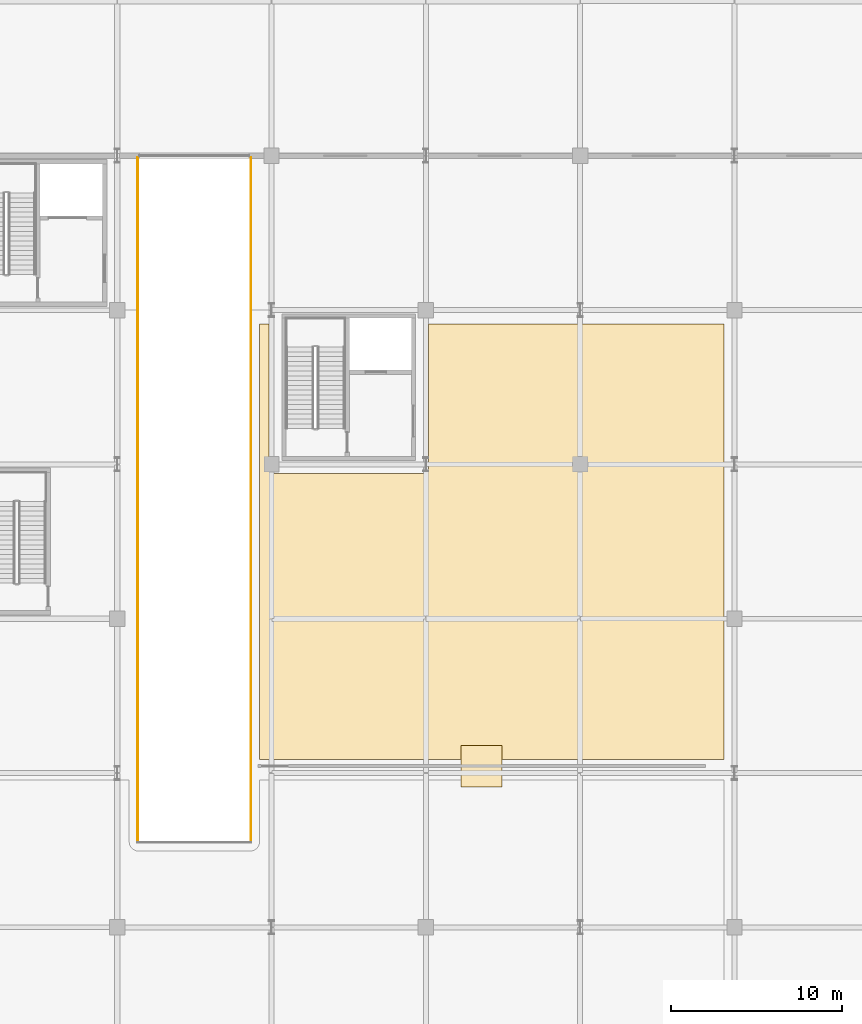
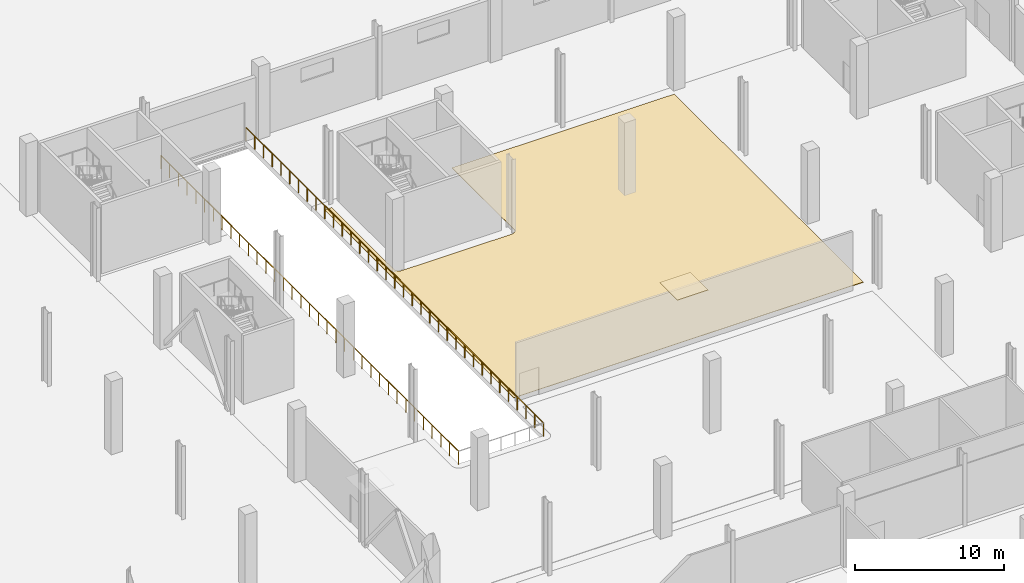
# One storey, part 53 of 58: 2 coverings, 2 railings.
"""IFC4 building model written with IfcOpenShell, lengths in metres."""

from ifc_helpers import new_model, si_unit, direction, frame, origin, origin_2d, place, context, subcontext, project, spatial, polyline, circle, outline, extrude, material, layer, layer_set, type_object, element, save


model = new_model("IFC4")

# Units and contexts
model_context = context("Model", 3, precision=1e-05, world=origin(), true_north=direction((0.0, 1.0)))
body_context = subcontext(model_context, "Body", "Model", "MODEL_VIEW")
ifc_project = project(units=[si_unit("LENGTHUNIT", "METRE"), si_unit("AREAUNIT", "SQUARE_METRE"), si_unit("VOLUMEUNIT", "CUBIC_METRE"), si_unit("PLANEANGLEUNIT", "RADIAN"), si_unit("MASSUNIT", "GRAM", prefix="KILO")], contexts=[model_context])

# Site, building, storey
site_placement = place(None, origin())
site = spatial("IfcSite", under=ifc_project, at=site_placement, CompositionType="ELEMENT")
building_placement = place(site_placement, origin())
building = spatial("IfcBuilding", under=site, at=building_placement, Name="Barlavento Convention Centre", CompositionType="ELEMENT")
storey_placement = place(building_placement, origin())
storey = spatial("IfcBuildingStorey", under=building, at=storey_placement, Name="L00", CompositionType="ELEMENT", Elevation=0.0)

# Coverings
ifc_material_1 = material(Name="Perforated mineral-fibre acoustic board")
ifc_layer_1 = layer(ifc_material_1, 0.0400390625)
ifc_layer_set_1 = layer_set([ifc_layer_1], Name="ARC-COV-CEIL-ACOU")
covering_type_1 = type_object("IfcCoveringType", Name="ARC-COV-CEIL-ACOU", PredefinedType="CEILING", material=ifc_layer_set_1)
covering_1_placement = place(storey_placement, frame((0.0, 0.0, 4.85009765625)))
element("IfcCovering", 1, at=covering_1_placement, inside=storey, type_object=covering_type_1, Name="L00 acoustic ceiling panel", PredefinedType="CEILING", context=body_context, shape_type="SweptSolid", body=[
    extrude(outline(polyline([(155.050048828125, 71.199951171875), (157.449951171875, 71.199951171875), (157.449951171875, 73.60009765625), (155.050048828125, 73.60009765625), (155.050048828125, 71.199951171875)])), origin(), (0.0, 0.0, 1.0), 0.039794921875),
])
ifc_material_2 = material(Name="Honed granite concourse stone flooring", Category="masonry")
ifc_layer_2 = layer(ifc_material_2, 0.030029296875)
ifc_layer_set_2 = layer_set([ifc_layer_2], Name="ARC-COV-FLR-STONE")
covering_type_2 = type_object("IfcCoveringType", Name="ARC-COV-FLR-STONE", PredefinedType="FLOORING", material=ifc_layer_set_2)
covering_2_placement = place(storey_placement, origin())
element("IfcCovering", 2, at=covering_2_placement, inside=storey, type_object=covering_type_2, Name="L00 honed stone floor finish", PredefinedType="FLOORING", context=body_context, shape_type="SweptSolid", body=[
    extrude(outline(polyline([(143.300048828125, 72.800048828125), (143.300048828125, 98.199951171875), (143.840087890625, 98.199951171875), (143.840087890625, 89.860107421875), (143.842041015625, 89.821044921875), (143.847900390625, 89.781982421875), (143.85693359375, 89.743896484375), (143.8701171875, 89.70703125), (143.886962890625, 89.6708984375), (143.906982421875, 89.637939453125), (143.930908203125, 89.60595703125), (143.95703125, 89.576904296875), (143.986083984375, 89.551025390625), (144.01806640625, 89.527099609375), (144.051025390625, 89.507080078125), (144.0869140625, 89.489990234375), (144.1240234375, 89.47705078125), (144.162109375, 89.468017578125), (144.200927734375, 89.4619140625), (144.239990234375, 89.4599609375), (152.760009765625, 89.4599609375), (152.799072265625, 89.4619140625), (152.837890625, 89.468017578125), (152.8759765625, 89.47705078125), (152.9130859375, 89.489990234375), (152.948974609375, 89.507080078125), (152.98193359375, 89.527099609375), (153.013916015625, 89.551025390625), (153.04296875, 89.576904296875), (153.069091796875, 89.60595703125), (153.093017578125, 89.637939453125), (153.113037109375, 89.6708984375), (153.1298828125, 89.70703125), (153.14306640625, 89.743896484375), (153.152099609375, 89.781982421875), (153.157958984375, 89.821044921875), (153.159912109375, 89.860107421875), (153.159912109375, 98.199951171875), (170.39990234375, 98.199951171875), (170.39990234375, 72.800048828125), (143.300048828125, 72.800048828125)])), origin(), (0.0, 0.0, 1.0), 0.030029296875),
])

# Railings
ifc_material_3 = material(Name="Stainless steel and laminated glass balustrade", Category="steel")
railing_type = type_object("IfcRailingType", Name="ARC-RAL-BAL-1100", PredefinedType="BALUSTRADE", material=ifc_material_3)
railing_1_placement = place(storey_placement, frame((136.199951171875, 107.89990234375, 0.0)))
element("IfcRailing", 3, at=railing_1_placement, inside=storey, type_object=railing_type, Name="L00 interior atrium or gallery balustrade GR01", PredefinedType="BALUSTRADE", context=body_context, shape_type="SweptSolid", body=[
    extrude(circle(Radius=0.02392578125, at=origin_2d()), frame((0.0, 0.0, 1.076171875), z_axis=(0.0, -1.0, 0.0), x_axis=(1.0, 0.0, 0.0)), (0.0, 0.0, 1.0), 39.949951171875),
    extrude(circle(Radius=0.02099609375, at=origin_2d()), origin(), (0.0, 0.0, 1.0), 1.052001953125),
    extrude(circle(Radius=0.02099609375, at=origin_2d()), frame((0.0, -1.175048828125, 0.0)), (0.0, 0.0, 1.0), 1.052001953125),
    extrude(circle(Radius=0.02099609375, at=origin_2d()), frame((0.0, -2.35009765625, 0.0)), (0.0, 0.0, 1.0), 1.052001953125),
    extrude(circle(Radius=0.02099609375, at=origin_2d()), frame((0.0, -3.52490234375, 0.0)), (0.0, 0.0, 1.0), 1.052001953125),
    extrude(circle(Radius=0.02099609375, at=origin_2d()), frame((0.0, -4.699951171875, 0.0)), (0.0, 0.0, 1.0), 1.052001953125),
    extrude(circle(Radius=0.02099609375, at=origin_2d()), frame((0.0, -5.875, 0.0)), (0.0, 0.0, 1.0), 1.052001953125),
    extrude(circle(Radius=0.02099609375, at=origin_2d()), frame((0.0, -7.050048828125, 0.0)), (0.0, 0.0, 1.0), 1.052001953125),
    extrude(circle(Radius=0.02099609375, at=origin_2d()), frame((0.0, -8.22509765625, 0.0)), (0.0, 0.0, 1.0), 1.052001953125),
    extrude(circle(Radius=0.02099609375, at=origin_2d()), frame((0.0, -9.39990234375, 0.0)), (0.0, 0.0, 1.0), 1.052001953125),
    extrude(circle(Radius=0.02099609375, at=origin_2d()), frame((0.0, -10.574951171875, 0.0)), (0.0, 0.0, 1.0), 1.052001953125),
    extrude(circle(Radius=0.02099609375, at=origin_2d()), frame((0.0, -11.75, 0.0)), (0.0, 0.0, 1.0), 1.052001953125),
    extrude(circle(Radius=0.02099609375, at=origin_2d()), frame((0.0, -12.925048828125, 0.0)), (0.0, 0.0, 1.0), 1.052001953125),
    extrude(circle(Radius=0.02099609375, at=origin_2d()), frame((0.0, -14.10009765625, 0.0)), (0.0, 0.0, 1.0), 1.052001953125),
    extrude(circle(Radius=0.02099609375, at=origin_2d()), frame((0.0, -15.27490234375, 0.0)), (0.0, 0.0, 1.0), 1.052001953125),
    extrude(circle(Radius=0.02099609375, at=origin_2d()), frame((0.0, -16.449951171875, 0.0)), (0.0, 0.0, 1.0), 1.052001953125),
    extrude(circle(Radius=0.02099609375, at=origin_2d()), frame((0.0, -17.625, 0.0)), (0.0, 0.0, 1.0), 1.052001953125),
    extrude(circle(Radius=0.02099609375, at=origin_2d()), frame((0.0, -18.800048828125, 0.0)), (0.0, 0.0, 1.0), 1.052001953125),
    extrude(circle(Radius=0.02099609375, at=origin_2d()), frame((0.0, -19.97509765625, 0.0)), (0.0, 0.0, 1.0), 1.052001953125),
    extrude(circle(Radius=0.02099609375, at=origin_2d()), frame((0.0, -21.14990234375, 0.0)), (0.0, 0.0, 1.0), 1.052001953125),
    extrude(circle(Radius=0.02099609375, at=origin_2d()), frame((0.0, -22.324951171875, 0.0)), (0.0, 0.0, 1.0), 1.052001953125),
    extrude(circle(Radius=0.02099609375, at=origin_2d()), frame((0.0, -23.5, 0.0)), (0.0, 0.0, 1.0), 1.052001953125),
    extrude(circle(Radius=0.02099609375, at=origin_2d()), frame((0.0, -24.675048828125, 0.0)), (0.0, 0.0, 1.0), 1.052001953125),
    extrude(circle(Radius=0.02099609375, at=origin_2d()), frame((0.0, -25.849853515625, 0.0)), (0.0, 0.0, 1.0), 1.052001953125),
    extrude(circle(Radius=0.02099609375, at=origin_2d()), frame((0.0, -27.02490234375, 0.0)), (0.0, 0.0, 1.0), 1.052001953125),
    extrude(circle(Radius=0.02099609375, at=origin_2d()), frame((0.0, -28.199951171875, 0.0)), (0.0, 0.0, 1.0), 1.052001953125),
    extrude(circle(Radius=0.02099609375, at=origin_2d()), frame((0.0, -29.375, 0.0)), (0.0, 0.0, 1.0), 1.052001953125),
    extrude(circle(Radius=0.02099609375, at=origin_2d()), frame((0.0, -30.550048828125, 0.0)), (0.0, 0.0, 1.0), 1.052001953125),
    extrude(circle(Radius=0.02099609375, at=origin_2d()), frame((0.0, -31.724853515625, 0.0)), (0.0, 0.0, 1.0), 1.052001953125),
    extrude(circle(Radius=0.02099609375, at=origin_2d()), frame((0.0, -32.89990234375, 0.0)), (0.0, 0.0, 1.0), 1.052001953125),
    extrude(circle(Radius=0.02099609375, at=origin_2d()), frame((0.0, -34.074951171875, 0.0)), (0.0, 0.0, 1.0), 1.052001953125),
    extrude(circle(Radius=0.02099609375, at=origin_2d()), frame((0.0, -35.25, 0.0)), (0.0, 0.0, 1.0), 1.052001953125),
    extrude(circle(Radius=0.02099609375, at=origin_2d()), frame((0.0, -36.425048828125, 0.0)), (0.0, 0.0, 1.0), 1.052001953125),
    extrude(circle(Radius=0.02099609375, at=origin_2d()), frame((0.0, -37.599853515625, 0.0)), (0.0, 0.0, 1.0), 1.052001953125),
    extrude(circle(Radius=0.02099609375, at=origin_2d()), frame((0.0, -38.77490234375, 0.0)), (0.0, 0.0, 1.0), 1.052001953125),
    extrude(circle(Radius=0.02099609375, at=origin_2d()), frame((0.0, -39.949951171875, 0.0)), (0.0, 0.0, 1.0), 1.052001953125),
])
railing_2_placement = place(storey_placement, frame((142.800048828125, 67.949951171875, 0.0)))
element("IfcRailing", 4, at=railing_2_placement, inside=storey, type_object=railing_type, Name="L00 interior atrium or gallery balustrade GR01", PredefinedType="BALUSTRADE", context=body_context, shape_type="SweptSolid", body=[
    extrude(circle(Radius=0.02392578125, at=origin_2d()), frame((0.0, 0.0, 1.076171875), z_axis=(0.0, 1.0, 0.0), x_axis=(-1.0, 0.0, 0.0)), (0.0, 0.0, 1.0), 39.949951171875),
    extrude(circle(Radius=0.02099609375, at=origin_2d()), origin(), (0.0, 0.0, 1.0), 1.052001953125),
    extrude(circle(Radius=0.02099609375, at=origin_2d()), frame((0.0, 1.175048828125, 0.0)), (0.0, 0.0, 1.0), 1.052001953125),
    extrude(circle(Radius=0.02099609375, at=origin_2d()), frame((0.0, 2.35009765625, 0.0)), (0.0, 0.0, 1.0), 1.052001953125),
    extrude(circle(Radius=0.02099609375, at=origin_2d()), frame((0.0, 3.52490234375, 0.0)), (0.0, 0.0, 1.0), 1.052001953125),
    extrude(circle(Radius=0.02099609375, at=origin_2d()), frame((0.0, 4.699951171875, 0.0)), (0.0, 0.0, 1.0), 1.052001953125),
    extrude(circle(Radius=0.02099609375, at=origin_2d()), frame((0.0, 5.875, 0.0)), (0.0, 0.0, 1.0), 1.052001953125),
    extrude(circle(Radius=0.02099609375, at=origin_2d()), frame((0.0, 7.050048828125, 0.0)), (0.0, 0.0, 1.0), 1.052001953125),
    extrude(circle(Radius=0.02099609375, at=origin_2d()), frame((0.0, 8.22509765625, 0.0)), (0.0, 0.0, 1.0), 1.052001953125),
    extrude(circle(Radius=0.02099609375, at=origin_2d()), frame((0.0, 9.39990234375, 0.0)), (0.0, 0.0, 1.0), 1.052001953125),
    extrude(circle(Radius=0.02099609375, at=origin_2d()), frame((0.0, 10.574951171875, 0.0)), (0.0, 0.0, 1.0), 1.052001953125),
    extrude(circle(Radius=0.02099609375, at=origin_2d()), frame((0.0, 11.75, 0.0)), (0.0, 0.0, 1.0), 1.052001953125),
    extrude(circle(Radius=0.02099609375, at=origin_2d()), frame((0.0, 12.925048828125, 0.0)), (0.0, 0.0, 1.0), 1.052001953125),
    extrude(circle(Radius=0.02099609375, at=origin_2d()), frame((0.0, 14.10009765625, 0.0)), (0.0, 0.0, 1.0), 1.052001953125),
    extrude(circle(Radius=0.02099609375, at=origin_2d()), frame((0.0, 15.27490234375, 0.0)), (0.0, 0.0, 1.0), 1.052001953125),
    extrude(circle(Radius=0.02099609375, at=origin_2d()), frame((0.0, 16.449951171875, 0.0)), (0.0, 0.0, 1.0), 1.052001953125),
    extrude(circle(Radius=0.02099609375, at=origin_2d()), frame((0.0, 17.625, 0.0)), (0.0, 0.0, 1.0), 1.052001953125),
    extrude(circle(Radius=0.02099609375, at=origin_2d()), frame((0.0, 18.800048828125, 0.0)), (0.0, 0.0, 1.0), 1.052001953125),
    extrude(circle(Radius=0.02099609375, at=origin_2d()), frame((0.0, 19.97509765625, 0.0)), (0.0, 0.0, 1.0), 1.052001953125),
    extrude(circle(Radius=0.02099609375, at=origin_2d()), frame((0.0, 21.14990234375, 0.0)), (0.0, 0.0, 1.0), 1.052001953125),
    extrude(circle(Radius=0.02099609375, at=origin_2d()), frame((0.0, 22.324951171875, 0.0)), (0.0, 0.0, 1.0), 1.052001953125),
    extrude(circle(Radius=0.02099609375, at=origin_2d()), frame((0.0, 23.5, 0.0)), (0.0, 0.0, 1.0), 1.052001953125),
    extrude(circle(Radius=0.02099609375, at=origin_2d()), frame((0.0, 24.675048828125, 0.0)), (0.0, 0.0, 1.0), 1.052001953125),
    extrude(circle(Radius=0.02099609375, at=origin_2d()), frame((0.0, 25.849853515625, 0.0)), (0.0, 0.0, 1.0), 1.052001953125),
    extrude(circle(Radius=0.02099609375, at=origin_2d()), frame((0.0, 27.02490234375, 0.0)), (0.0, 0.0, 1.0), 1.052001953125),
    extrude(circle(Radius=0.02099609375, at=origin_2d()), frame((0.0, 28.199951171875, 0.0)), (0.0, 0.0, 1.0), 1.052001953125),
    extrude(circle(Radius=0.02099609375, at=origin_2d()), frame((0.0, 29.375, 0.0)), (0.0, 0.0, 1.0), 1.052001953125),
    extrude(circle(Radius=0.02099609375, at=origin_2d()), frame((0.0, 30.550048828125, 0.0)), (0.0, 0.0, 1.0), 1.052001953125),
    extrude(circle(Radius=0.02099609375, at=origin_2d()), frame((0.0, 31.724853515625, 0.0)), (0.0, 0.0, 1.0), 1.052001953125),
    extrude(circle(Radius=0.02099609375, at=origin_2d()), frame((0.0, 32.89990234375, 0.0)), (0.0, 0.0, 1.0), 1.052001953125),
    extrude(circle(Radius=0.02099609375, at=origin_2d()), frame((0.0, 34.074951171875, 0.0)), (0.0, 0.0, 1.0), 1.052001953125),
    extrude(circle(Radius=0.02099609375, at=origin_2d()), frame((0.0, 35.25, 0.0)), (0.0, 0.0, 1.0), 1.052001953125),
    extrude(circle(Radius=0.02099609375, at=origin_2d()), frame((0.0, 36.425048828125, 0.0)), (0.0, 0.0, 1.0), 1.052001953125),
    extrude(circle(Radius=0.02099609375, at=origin_2d()), frame((0.0, 37.599853515625, 0.0)), (0.0, 0.0, 1.0), 1.052001953125),
    extrude(circle(Radius=0.02099609375, at=origin_2d()), frame((0.0, 38.77490234375, 0.0)), (0.0, 0.0, 1.0), 1.052001953125),
    extrude(circle(Radius=0.02099609375, at=origin_2d()), frame((0.0, 39.949951171875, 0.0)), (0.0, 0.0, 1.0), 1.052001953125),
])

save(model, "model.ifc")
